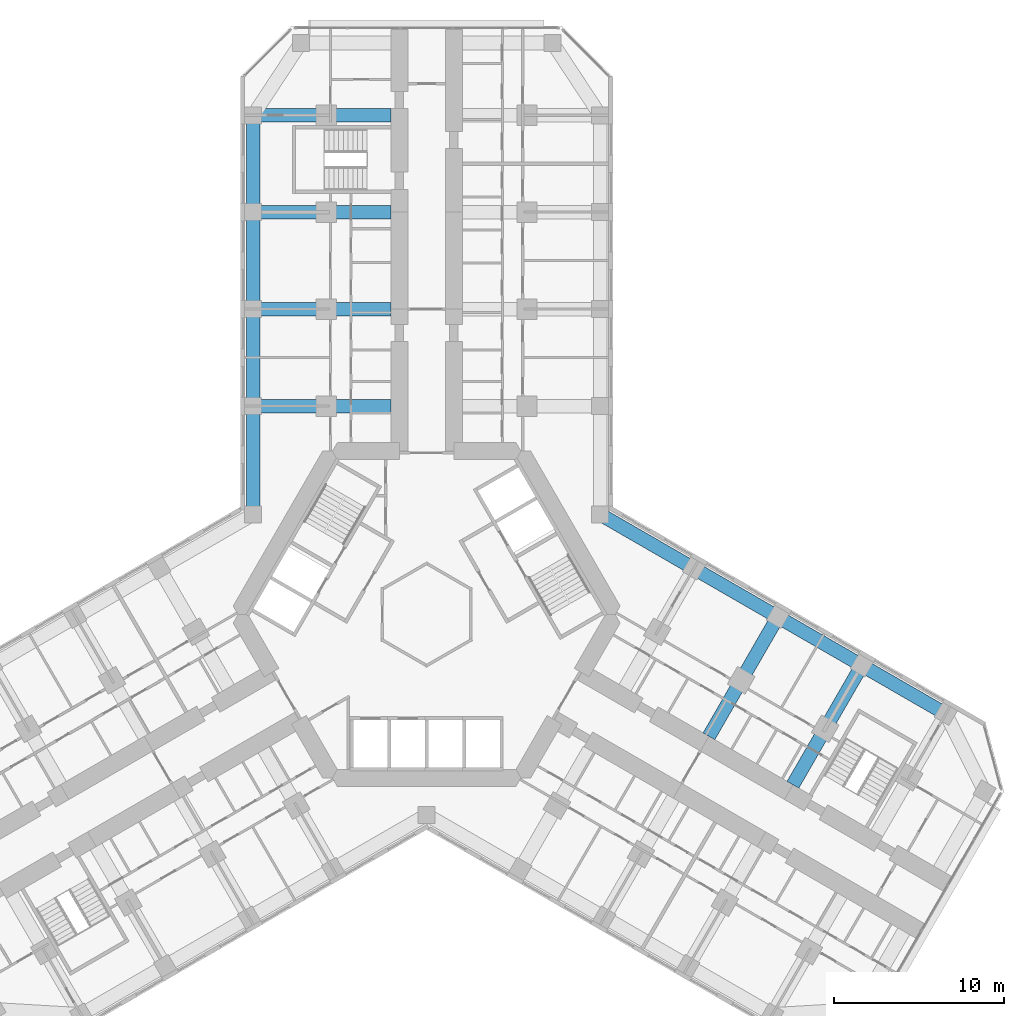
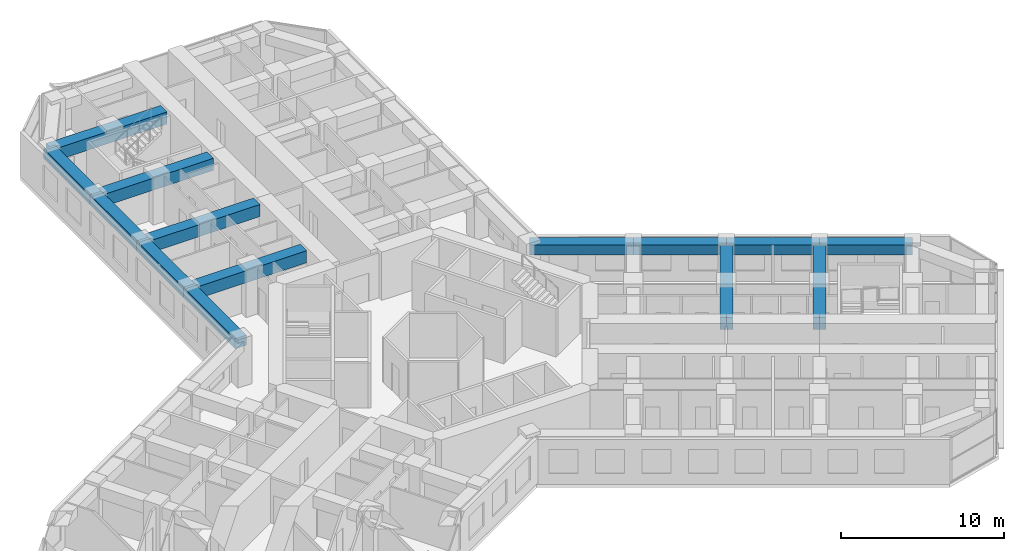
# One storey, part 6 of 21: 14 beams.
"""IFC4 building model written with IfcOpenShell, lengths in metres."""

from ifc_helpers import new_model, si_unit, direction, frame, origin, origin_2d, place, context, subcontext, project, spatial, rectangle, extrude, material, material_profile, profile_set, type_object, element, save


model = new_model("IFC4")

# Units and contexts
model_context = context("Model", 3, precision=1e-05, world=origin(), true_north=direction((0.0, 1.0)))
body_context = subcontext(model_context, "Body", "Model", "MODEL_VIEW")
ifc_project = project(units=[si_unit("LENGTHUNIT", "METRE"), si_unit("AREAUNIT", "SQUARE_METRE"), si_unit("VOLUMEUNIT", "CUBIC_METRE"), si_unit("PLANEANGLEUNIT", "RADIAN"), si_unit("MASSUNIT", "GRAM", prefix="KILO")], contexts=[model_context])

# Site, building, storey
site_placement = place(None, origin())
site = spatial("IfcSite", under=ifc_project, at=site_placement, CompositionType="ELEMENT")
building_placement = place(site_placement, origin())
building = spatial("IfcBuilding", under=site, at=building_placement, Name="Kosmar Iwan School Tower", CompositionType="ELEMENT")
storey_placement = place(building_placement, frame((0.0, 0.0, 53.800048828125)))
storey = spatial("IfcBuildingStorey", under=building, at=storey_placement, Name="L12", CompositionType="ELEMENT", Elevation=53.800048828125)

# Beams
ifc_material_1 = material(Name="Concrete C50/60", Category="concrete")
ifc_material_profile_1 = material_profile(ifc_material_1, rectangle(XDim=0.800048828125, YDim=0.75, at=origin_2d()), Name="RC 800x750")
ifc_profile_set_1 = profile_set([ifc_material_profile_1], Name="Concrete C50/60")
beam_type_1 = type_object("IfcBeamType", Name="RC edge beam 800x750", PredefinedType="BEAM", material=ifc_profile_set_1)
beam_1_placement = place(storey_placement, frame((-10.199951171875, 5.888916015625, 2.974853515625), z_axis=(0.0, 1.0, 0.0), x_axis=(-1.0, 0.0, 0.0)))
element("IfcBeam", 1, at=beam_1_placement, inside=storey, type_object=beam_type_1, Name="Edge beam AL1", PredefinedType="BEAM", context=body_context, shape_type="SweptSolid", body=[
    extrude(rectangle(XDim=0.800048828125, YDim=0.75, at=origin_2d()), origin(), (0.0, 0.0, 1.0), 6.361083984375),
])
for number, where, z_axis, x_axis, name in (
    (2, (-10.199951171875, 12.25, 2.974853515625), (0.0, 1.0, 0.0), (-1.0, 0.0, 0.0), "Edge beam AL2"),
    (3, (-10.199951171875, 17.949951171875, 2.974853515625), (0.0, 1.0, 0.0), (-1.0, 0.0, 0.0), "Edge beam AL3"),
):
    element("IfcBeam", number, at=place(storey_placement, frame(where, z_axis=z_axis, x_axis=x_axis)), inside=storey, type_object=beam_type_1, Name=name, PredefinedType="BEAM", context=body_context, shape_type="SweptSolid", body=[
        extrude(rectangle(XDim=0.800048828125, YDim=0.75, at=origin_2d()), origin(), (0.0, 0.0, 1.0), 5.699951171875),
    ])
beam_2_placement = place(storey_placement, frame((-10.199951171875, 23.64990234375, 2.974853515625), z_axis=(0.0, 1.0, 0.0), x_axis=(-1.0, 0.0, 0.0)))
element("IfcBeam", 4, at=beam_2_placement, inside=storey, type_object=beam_type_1, Name="Edge beam AL4", PredefinedType="BEAM", context=body_context, shape_type="SweptSolid", body=[
    extrude(rectangle(XDim=0.800048828125, YDim=0.75, at=origin_2d()), origin(), (0.0, 0.0, 1.0), 5.7001953125),
])
beam_3_placement = place(storey_placement, frame((10.199951171875, 5.888916015625, 2.974853515625), z_axis=(0.866030912664, -0.49999045822, 0.0), x_axis=(0.49999045822, 0.866030912664, 0.0)))
element("IfcBeam", 5, at=beam_3_placement, inside=storey, type_object=beam_type_1, Name="Edge beam CL1", PredefinedType="BEAM", context=body_context, shape_type="SweptSolid", body=[
    extrude(rectangle(XDim=0.800048828125, YDim=0.75, at=origin_2d()), origin(), (0.0, 0.0, 1.0), 6.36083984375),
])
beam_4_placement = place(storey_placement, frame((15.708740234375, 2.70849609375, 2.974853515625), z_axis=(0.866025820012, -0.499999279071, 0.0), x_axis=(0.499999279071, 0.866025820012, 0.0)))
element("IfcBeam", 6, at=beam_4_placement, inside=storey, type_object=beam_type_1, Name="Edge beam CL2", PredefinedType="BEAM", context=body_context, shape_type="SweptSolid", body=[
    extrude(rectangle(XDim=0.800048828125, YDim=0.75, at=origin_2d()), origin(), (0.0, 0.0, 1.0), 5.7001953125),
])
for number, where, z_axis, x_axis, name in (
    (7, (20.645263671875, -0.1416015625, 2.974853515625), (0.866033658841, -0.49998570155, 0.0), (0.49998570155, 0.866033658841, 0.0), "Edge beam CL3"),
    (8, (25.58154296875, -2.991455078125, 2.974853515625), (0.866015111908, -0.50001782563, 0.0), (0.50001782563, 0.866015111908, 0.0), "Edge beam CL4"),
):
    element("IfcBeam", number, at=place(storey_placement, frame(where, z_axis=z_axis, x_axis=x_axis)), inside=storey, type_object=beam_type_1, Name=name, PredefinedType="BEAM", context=body_context, shape_type="SweptSolid", body=[
        extrude(rectangle(XDim=0.800048828125, YDim=0.75, at=origin_2d()), origin(), (0.0, 0.0, 1.0), 5.699951171875),
    ])
ifc_material_2 = material(Name="Concrete C50/60", Category="concrete")
ifc_material_profile_2 = material_profile(ifc_material_2, rectangle(XDim=0.800048828125, YDim=0.89990234375, at=origin_2d()), Name="RC 800x900")
ifc_profile_set_2 = profile_set([ifc_material_profile_2], Name="Concrete C50/60")
beam_type_2 = type_object("IfcBeamType", Name="RC transverse beam 800x900", PredefinedType="BEAM", material=ifc_profile_set_2)
for number, where, z_axis, x_axis, name in (
    (9, (-10.199951171875, 12.25, 2.89990234375), (1.0, 0.0, 0.0), (0.0, 1.0, 0.0), "Transverse beam AL1"),
    (10, (-10.199951171875, 17.949951171875, 2.89990234375), (1.0, 0.0, 0.0), (0.0, 1.0, 0.0), "Transverse beam AL2"),
    (11, (-10.199951171875, 23.64990234375, 2.89990234375), (1.0, 0.0, 0.0), (0.0, 1.0, 0.0), "Transverse beam AL3"),
    (12, (-10.199951171875, 29.35009765625, 2.89990234375), (1.0, 0.0, 0.0), (0.0, 1.0, 0.0), "Transverse beam AL4"),
    (13, (20.645263671875, -0.1416015625, 2.89990234375), (-0.500012932018, -0.866017937352, 0.0), (0.866017937352, -0.500012932018, 0.0), "Transverse beam CL2"),
):
    element("IfcBeam", number, at=place(storey_placement, frame(where, z_axis=z_axis, x_axis=x_axis)), inside=storey, type_object=beam_type_2, Name=name, PredefinedType="BEAM", context=body_context, shape_type="SweptSolid", body=[
        extrude(rectangle(XDim=0.800048828125, YDim=0.89990234375, at=origin_2d()), origin(), (0.0, 0.0, 1.0), 8.099853515625),
    ])
beam_5_placement = place(storey_placement, frame((25.58154296875, -2.991455078125, 2.89990234375), z_axis=(-0.499999880539, -0.866025472755, 0.0), x_axis=(0.866025472755, -0.499999880539, 0.0)))
element("IfcBeam", 14, at=beam_5_placement, inside=storey, type_object=beam_type_2, Name="Transverse beam CL3", PredefinedType="BEAM", context=body_context, shape_type="SweptSolid", body=[
    extrude(rectangle(XDim=0.800048828125, YDim=0.89990234375, at=origin_2d()), origin(), (0.0, 0.0, 1.0), 8.10009765625),
])

save(model, "model.ifc")
